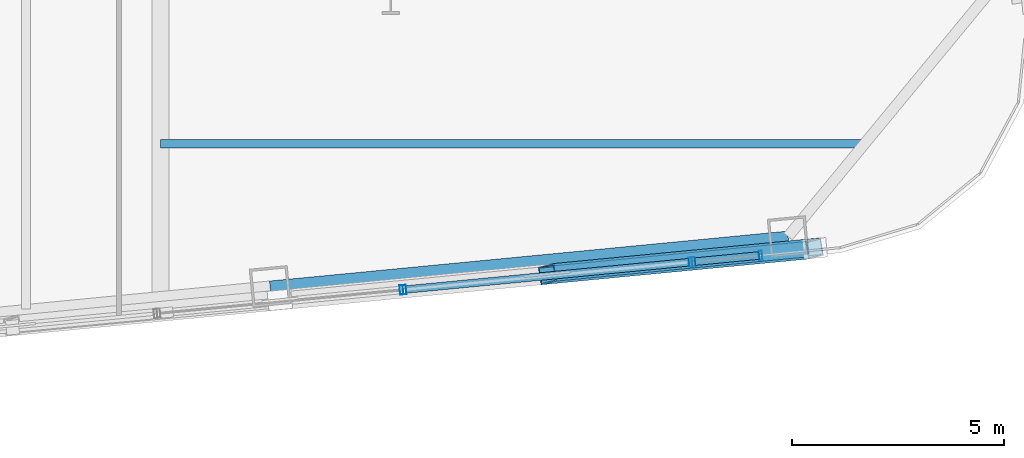
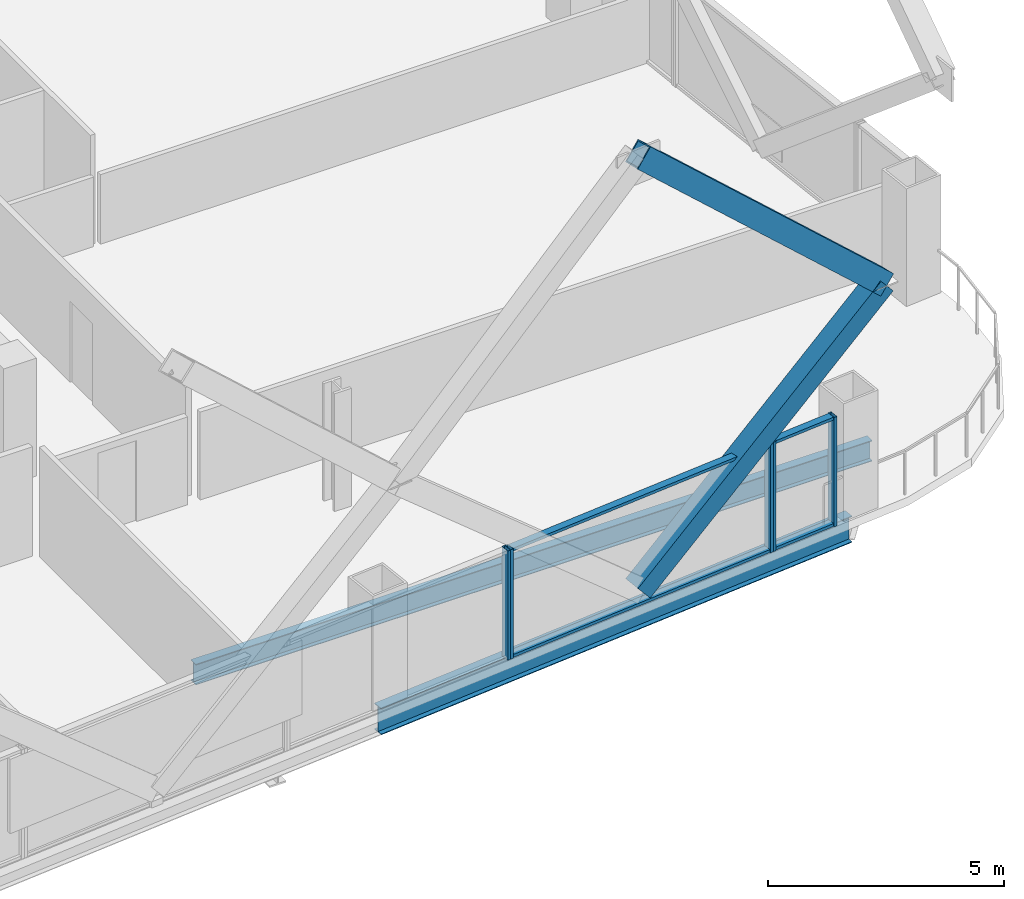
# One storey, part 12 of 32: 11 members, 2 beams, 3 elements without a shape of their own.
"""IFC4 building model written with IfcOpenShell, lengths in metres."""

from ifc_helpers import new_model, si_unit, direction, frame, origin, origin_2d, place, context, subcontext, project, spatial, hollow_rectangle, i_section, extrude, material, layer, layer_set, material_profile, profile_set, type_object, element, aggregate, save


model = new_model("IFC4")

# Units and contexts
model_context = context("Model", 3, precision=1e-05, world=origin(), true_north=direction((0.0, 1.0)))
body_context = subcontext(model_context, "Body", "Model", "MODEL_VIEW")
ifc_project = project(units=[si_unit("LENGTHUNIT", "METRE"), si_unit("AREAUNIT", "SQUARE_METRE"), si_unit("VOLUMEUNIT", "CUBIC_METRE"), si_unit("PLANEANGLEUNIT", "RADIAN"), si_unit("MASSUNIT", "GRAM", prefix="KILO")], contexts=[model_context])

# Site, building, storey
site_placement = place(None, origin())
site = spatial("IfcSite", under=ifc_project, at=site_placement, CompositionType="ELEMENT")
building_placement = place(site_placement, origin())
building = spatial("IfcBuilding", under=site, at=building_placement, Name="Qhalaya Broadcast Tower", CompositionType="ELEMENT")
storey_placement = place(building_placement, frame((0.0, 0.0, 81.64990234375)))
storey = spatial("IfcBuildingStorey", under=building, at=storey_placement, Name="L23", CompositionType="ELEMENT", Elevation=81.64990234375)

# Beam
ifc_material_1 = material(Name="Structural Steel ASTM A992 Grade 50", Category="steel")
ifc_material_profile_1 = material_profile(ifc_material_1, i_section(OverallWidth=0.2099609375, OverallDepth=0.535888671875, WebThickness=0.010986328125, FlangeThickness=0.017333984375, at=origin_2d()), Name="W21X68")
ifc_profile_set_1 = profile_set([ifc_material_profile_1], Name="Structural Steel ASTM A992 Grade 50")
beam_type_1 = type_object("IfcBeamType", Name="Composite Floor Joist J02", PredefinedType="JOIST", material=ifc_profile_set_1)
beam_1_placement = place(storey_placement, frame((9.375, -16.5, -0.48779296875), z_axis=(1.0, 0.0, 0.0), x_axis=(0.0, 1.0, 0.0)))
element("IfcBeam", 1, at=beam_1_placement, inside=storey, type_object=beam_type_1, Name="L23 J02 L23-JWE1E-1", PredefinedType="JOIST", context=body_context, shape_type="SweptSolid", body=[
    extrude(i_section(OverallWidth=0.2099609375, OverallDepth=0.535888671875, WebThickness=0.010986328125, FlangeThickness=0.017333984375, at=origin_2d()), origin(), (0.0, 0.0, 1.0), 16.56591796875),
])

# Members
ifc_material_2 = material(Name="Structural Steel ASTM A572 Grade 50", Category="steel")
ifc_material_profile_2 = material_profile(ifc_material_2, hollow_rectangle(XDim=0.419921875, YDim=0.550048828125, WallThickness=0.028076171875, at=origin_2d()), Name="BOX 420x550x28")
ifc_profile_set_2 = profile_set([ifc_material_profile_2], Name="Structural Steel ASTM A572 Grade 50")
member_type_1 = type_object("IfcMemberType", Name="Exoskeleton Diamond Diagonal Mid-Low EX2", PredefinedType="BRACE", material=ifc_profile_set_2)
member_1_placement = place(storey_placement, frame((18.49072265625, -19.573486328125, 0.360107421875), z_axis=(0.758635580976, 0.073066636585, 0.647405067864), x_axis=(-0.157193441444, 0.984862499798, 0.073048466507)))
element("IfcMember", 2, at=member_1_placement, inside=storey, type_object=member_type_1, Name="B2 Exoskeleton Diamond Brace S3-D2", PredefinedType="BRACE", context=body_context, shape_type="SweptSolid", body=[
    extrude(hollow_rectangle(XDim=0.419921875, YDim=0.550048828125, WallThickness=0.028076171875, at=origin_2d()), origin(), (0.0, 0.0, 1.0), 8.309814453125),
])
member_2_placement = place(storey_placement, frame((24.794921875, -18.96630859375, 5.739990234375), z_axis=(-0.730618100613, -0.070368182799, 0.6791505797), x_axis=(0.160222099068, -0.984570800026, 0.070350683768)))
element("IfcMember", 3, at=member_2_placement, inside=storey, type_object=member_type_1, Name="B2 Exoskeleton Diamond Brace S3-D4", PredefinedType="BRACE", context=body_context, shape_type="SweptSolid", body=[
    extrude(hollow_rectangle(XDim=0.419921875, YDim=0.550048828125, WallThickness=0.028076171875, at=origin_2d()), origin(), (0.0, 0.0, 1.0), 8.628662109375),
])

# Beam
ifc_material_profile_3 = material_profile(ifc_material_1, i_section(OverallWidth=0.25390625, OverallDepth=0.68310546875, WebThickness=0.012451171875, FlangeThickness=0.01904296875, at=origin_2d()), Name="W27X94")
ifc_profile_set_3 = profile_set([ifc_material_profile_3], Name="Structural Steel ASTM A992 Grade 50")
beam_type_2 = type_object("IfcBeamType", Name="Perimeter Ring Spandrel Beam SP1", PredefinedType="SPANDREL", material=ifc_profile_set_3)
beam_2_placement = place(storey_placement, frame((11.955078125, -19.861083984375, -0.5615234375), z_axis=(0.995397535354, 0.095831866369, 0.0), x_axis=(-0.095831866369, 0.995397535354, 0.0)))
element("IfcBeam", 4, at=beam_2_placement, inside=storey, type_object=beam_type_2, Name="L23 SP1 L23-SPR-03", PredefinedType="SPANDREL", context=body_context, shape_type="SweptSolid", body=[
    extrude(i_section(OverallWidth=0.25390625, OverallDepth=0.68310546875, WebThickness=0.012451171875, FlangeThickness=0.01904296875, at=origin_2d()), origin(), (0.0, 0.0, 1.0), 12.2666015625),
])

# Curtain wall, member
ifc_material_3 = material(Name="Solar-Control Low-E Triple Glazing", Category="glass")
ifc_layer_1 = layer(ifc_material_3, 0.219970703125, Name="Solar-Control Low-E Triple Glazing")
ifc_layer_set_1 = layer_set([ifc_layer_1], Name="Solar-Control Low-E Triple Glazing")
curtain_wall_type_1 = type_object("IfcCurtainWallType", Name="Even-Block 4-Storey Double-Module Curtain Wall CW-03", PredefinedType="NOTDEFINED", material=ifc_layer_set_1)
curtain_wall_1_placement = place(storey_placement, origin())
curtain_wall_1 = element("IfcCurtainWall", 5, at=curtain_wall_1_placement, inside=storey, type_object=curtain_wall_type_1, Name="L23 Unitised Curtain Wall L23-CW-S5", PredefinedType="NOTDEFINED")
ifc_material_4 = material(Name="Anodised Aluminium 6063-T6", Category="aluminium")
ifc_material_profile_4 = material_profile(ifc_material_4, hollow_rectangle(XDim=0.074951171875, YDim=0.219970703125, WallThickness=0.00390625, at=origin_2d()), Name="ALU-MUL 75x220x4")
ifc_profile_set_4 = profile_set([ifc_material_profile_4], Name="Anodised Aluminium 6063-T6")
member_type_2 = type_object("IfcMemberType", Name="Unitised Curtain-Wall Mullion M01", PredefinedType="MULLION", material=ifc_profile_set_4)
member_3_placement = place(storey_placement, frame((15.05126953125, -19.94482421875, 0.0), z_axis=(0.0, 0.0, 1.0), x_axis=(0.995396371729, 0.095843952075, 0.0)))
member_3 = element("IfcMember", 6, at=member_3_placement, type_object=member_type_2, Name="CW-03 mullion 2", PredefinedType="MULLION", context=body_context, shape_type="SweptSolid", body=[
    extrude(hollow_rectangle(XDim=0.074951171875, YDim=0.219970703125, WallThickness=0.00390625, at=origin_2d()), origin(), (0.0, 0.0, 1.0), 2.830078125),
])
aggregate(curtain_wall_1, [member_3])

# Curtain wall, members
ifc_material_5 = material(Name="Fired Architectural Terracotta", Category="masonry")
ifc_layer_2 = layer(ifc_material_5, 0.219970703125, Name="Fired Architectural Terracotta")
ifc_layer_set_2 = layer_set([ifc_layer_2], Name="Fired Architectural Terracotta")
curtain_wall_type_2 = type_object("IfcCurtainWallType", Name="Block-Cap Unitised Terracotta Spandrel Wall CW-07", PredefinedType="NOTDEFINED", material=ifc_layer_set_2)
curtain_wall_2_placement = place(storey_placement, origin())
curtain_wall_2 = element("IfcCurtainWall", 7, at=curtain_wall_2_placement, inside=storey, type_object=curtain_wall_type_2, Name="L23 Unitised Curtain Wall L23-CW-S6", PredefinedType="NOTDEFINED")
member_4_placement = place(storey_placement, frame((15.1259765625, -19.9375, 0.0), z_axis=(0.0, 0.0, 1.0), x_axis=(0.995395819861, 0.095849683373, 0.0)))
member_4 = element("IfcMember", 8, at=member_4_placement, type_object=member_type_2, Name="CW-07 mullion 1", PredefinedType="MULLION", context=body_context, shape_type="SweptSolid", body=[
    extrude(hollow_rectangle(XDim=0.074951171875, YDim=0.219970703125, WallThickness=0.00390625, at=origin_2d()), origin(), (0.0, 0.0, 1.0), 2.830078125),
])
member_5_placement = place(storey_placement, frame((21.86279296875, -19.288818359375, 0.0), z_axis=(0.0, 0.0, 1.0), x_axis=(0.995395819861, 0.095849683373, 0.0)))
member_5 = element("IfcMember", 9, at=member_5_placement, type_object=member_type_2, Name="CW-07 mullion 2", PredefinedType="MULLION", context=body_context, shape_type="SweptSolid", body=[
    extrude(hollow_rectangle(XDim=0.074951171875, YDim=0.219970703125, WallThickness=0.00390625, at=origin_2d()), origin(), (0.0, 0.0, 1.0), 2.830078125),
])

curtain_wall_3_placement = place(storey_placement, origin())
curtain_wall_3 = element("IfcCurtainWall", 10, at=curtain_wall_3_placement, inside=storey, type_object=curtain_wall_type_1, Name="L23 Unitised Curtain Wall L23-CW-S7", PredefinedType="NOTDEFINED")
member_6_placement = place(storey_placement, frame((21.9375, -19.28173828125, 0.0), z_axis=(0.0, 0.0, 1.0), x_axis=(0.995396232884, 0.095845394047, 0.0)))
member_6 = element("IfcMember", 11, at=member_6_placement, type_object=member_type_2, Name="CW-03 mullion 1", PredefinedType="MULLION", context=body_context, shape_type="SweptSolid", body=[
    extrude(hollow_rectangle(XDim=0.074951171875, YDim=0.219970703125, WallThickness=0.00390625, at=origin_2d()), origin(), (0.0, 0.0, 1.0), 2.830078125),
])
member_7_placement = place(storey_placement, frame((23.517333984375, -19.129638671875, 0.0), z_axis=(0.0, 0.0, 1.0), x_axis=(0.995396232884, 0.095845394047, 0.0)))
member_7 = element("IfcMember", 12, at=member_7_placement, type_object=member_type_2, Name="CW-03 mullion 2", PredefinedType="MULLION", context=body_context, shape_type="SweptSolid", body=[
    extrude(hollow_rectangle(XDim=0.074951171875, YDim=0.219970703125, WallThickness=0.00390625, at=origin_2d()), origin(), (0.0, 0.0, 1.0), 2.830078125),
])

# Member
ifc_material_profile_5 = material_profile(ifc_material_4, hollow_rectangle(XDim=0.074951171875, YDim=0.179931640625, WallThickness=0.00390625, at=origin_2d()), Name="ALU-TRN 75x180x4")
ifc_profile_set_5 = profile_set([ifc_material_profile_5], Name="Anodised Aluminium 6063-T6")
member_type_3 = type_object("IfcMemberType", Name="Unitised Curtain-Wall Transom T01", PredefinedType="USERDEFINED", material=ifc_profile_set_5)
member_8_placement = place(storey_placement, frame((15.163330078125, -19.93408203125, 0.03759765625), z_axis=(0.995394581881, 0.095862538888, 0.0), x_axis=(0.0, 0.0, 1.0)))
member_8 = element("IfcMember", 13, at=member_8_placement, type_object=member_type_3, Name="CW-07 transom 1.1", ObjectType="TRANSOM", PredefinedType="USERDEFINED", context=body_context, shape_type="SweptSolid", body=[
    extrude(hollow_rectangle(XDim=0.074951171875, YDim=0.179931640625, WallThickness=0.00390625, at=origin_2d()), origin(), (0.0, 0.0, 1.0), 6.69287109375),
])

member_9_placement = place(storey_placement, frame((15.163330078125, -19.93408203125, 2.79248046875), z_axis=(0.995394581881, 0.095862538888, 0.0), x_axis=(0.0, 0.0, 1.0)))
member_9 = element("IfcMember", 14, at=member_9_placement, type_object=member_type_3, Name="CW-07 transom 1.2", ObjectType="TRANSOM", PredefinedType="USERDEFINED", context=body_context, shape_type="SweptSolid", body=[
    extrude(hollow_rectangle(XDim=0.074951171875, YDim=0.179931640625, WallThickness=0.00390625, at=origin_2d()), origin(), (0.0, 0.0, 1.0), 6.69287109375),
])

aggregate(curtain_wall_2, [member_4, member_5, member_8, member_9])

member_10_placement = place(storey_placement, frame((21.974853515625, -19.278076171875, 0.03759765625), z_axis=(0.99540577446, 0.095746248865, 0.0), x_axis=(0.0, 0.0, 1.0)))
member_10 = element("IfcMember", 15, at=member_10_placement, type_object=member_type_3, Name="CW-03 transom 1.1", ObjectType="TRANSOM", PredefinedType="USERDEFINED", context=body_context, shape_type="SweptSolid", body=[
    extrude(hollow_rectangle(XDim=0.074951171875, YDim=0.179931640625, WallThickness=0.00390625, at=origin_2d()), origin(), (0.0, 0.0, 1.0), 1.511962890625),
])

member_11_placement = place(storey_placement, frame((21.974853515625, -19.278076171875, 2.79248046875), z_axis=(0.99540577446, 0.095746248865, 0.0), x_axis=(0.0, 0.0, 1.0)))
member_11 = element("IfcMember", 16, at=member_11_placement, type_object=member_type_3, Name="CW-03 transom 1.2", ObjectType="TRANSOM", PredefinedType="USERDEFINED", context=body_context, shape_type="SweptSolid", body=[
    extrude(hollow_rectangle(XDim=0.074951171875, YDim=0.179931640625, WallThickness=0.00390625, at=origin_2d()), origin(), (0.0, 0.0, 1.0), 1.511962890625),
])

aggregate(curtain_wall_3, [member_6, member_7, member_10, member_11])

save(model, "model.ifc")
